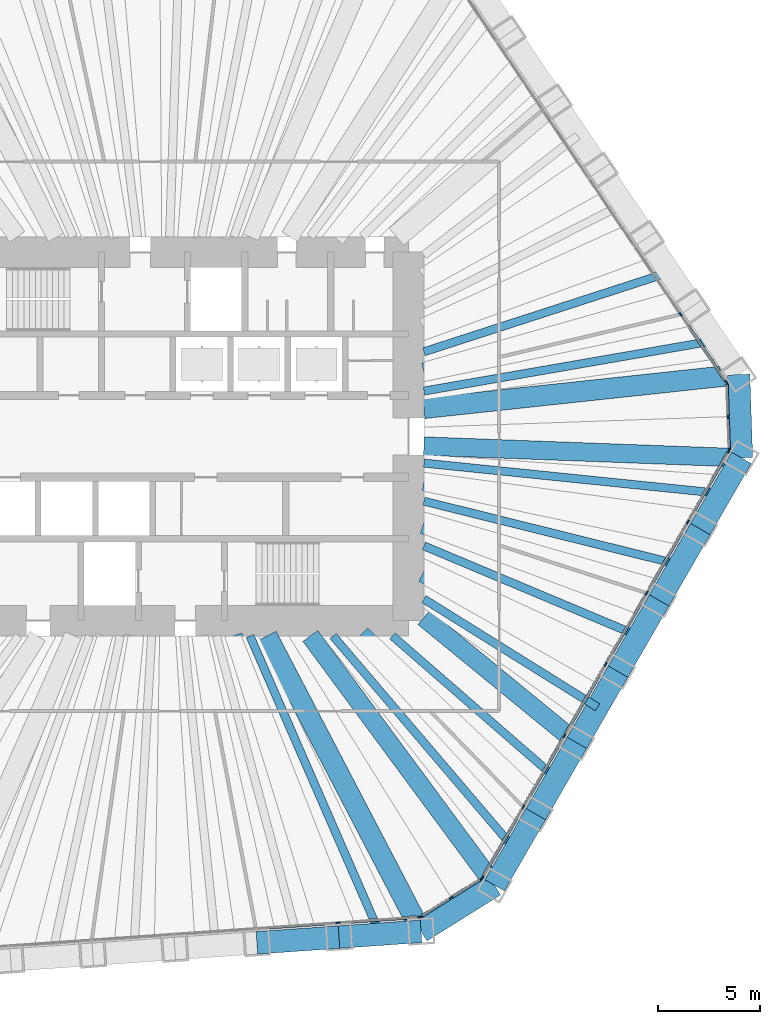
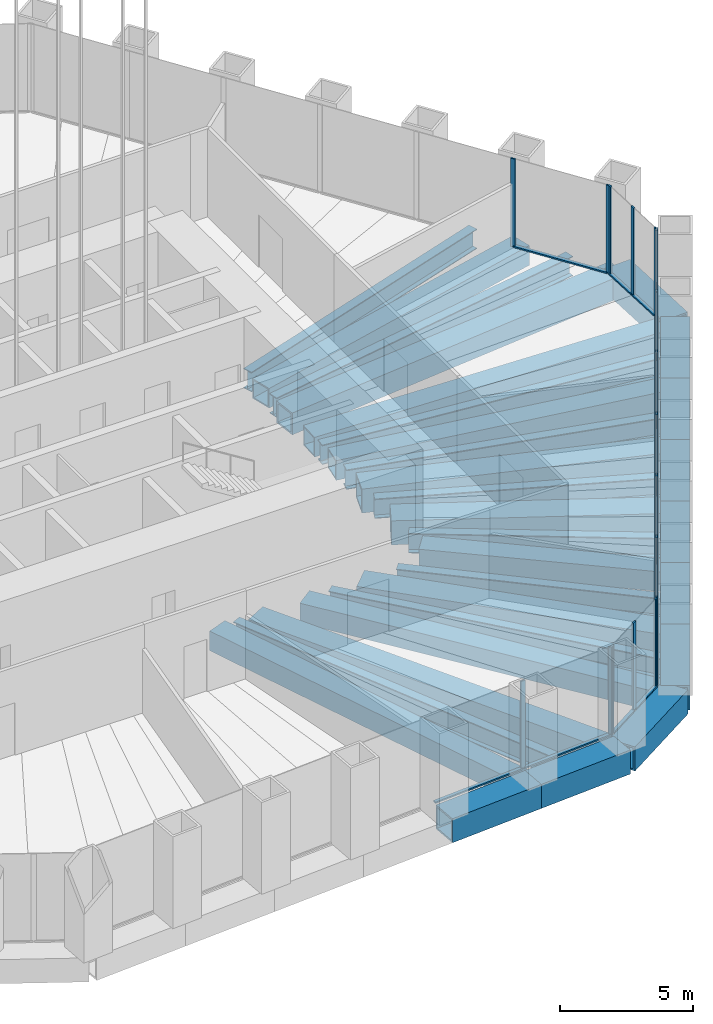
# One storey, part 4 of 20: 40 members, 20 beams, 5 elements without a shape of their own.
"""IFC4 building model written with IfcOpenShell, lengths in metres."""

from ifc_helpers import new_model, si_unit, direction, frame, origin, origin_2d, place, context, subcontext, project, spatial, rectangle, hollow_rectangle, i_section, extrude, material, material_profile, profile_set, type_object, element, aggregate, save


model = new_model("IFC4")

# Units and contexts
model_context = context("Model", 3, precision=1e-05, world=origin(), true_north=direction((0.0, 1.0)))
body_context = subcontext(model_context, "Body", "Model", "MODEL_VIEW")
ifc_project = project(units=[si_unit("LENGTHUNIT", "METRE"), si_unit("AREAUNIT", "SQUARE_METRE"), si_unit("VOLUMEUNIT", "CUBIC_METRE"), si_unit("PLANEANGLEUNIT", "RADIAN"), si_unit("MASSUNIT", "GRAM", prefix="KILO")], contexts=[model_context])

# Site, building, storey
site_placement = place(None, origin())
site = spatial("IfcSite", under=ifc_project, at=site_placement, CompositionType="ELEMENT")
building_placement = place(site_placement, origin())
building = spatial("IfcBuilding", under=site, at=building_placement, Name="Qingtian Harvest Tower", CompositionType="ELEMENT")
storey_placement = place(building_placement, frame((0.0, 0.0, 103.0)))
storey = spatial("IfcBuildingStorey", under=building, at=storey_placement, Name="L20", CompositionType="ELEMENT", Elevation=103.0)

# Members
ifc_material_1 = material(Name="Steel SM570MC", Category="steel")
ifc_material_profile_1 = material_profile(ifc_material_1, hollow_rectangle(XDim=1.10009765625, YDim=1.10009765625, WallThickness=0.080078125, at=origin_2d()), Name="BOX1100x1100x80")
ifc_profile_set_1 = profile_set([ifc_material_profile_1], Name="Steel SM570MC")
member_type_1 = type_object("IfcMemberType", Name="Belt truss chord BC1 BOX1100x1100x80", PredefinedType="CHORD", material=ifc_profile_set_1)
member_1_placement = place(storey_placement, frame((28.119384765625, 3.0185546875, -0.550048828125), z_axis=(0.03490639867, -0.999390585973, 0.0), x_axis=(0.999390585973, 0.03490639867, 0.0)))
element("IfcMember", 1, at=member_1_placement, inside=storey, type_object=member_type_1, Name="Belt chord BC1 NEC", PredefinedType="CHORD", context=body_context, shape_type="SweptSolid", body=[
    extrude(hollow_rectangle(XDim=1.10009765625, YDim=1.10009765625, WallThickness=0.080078125, at=origin_2d()), origin(), (0.0, 0.0, 1.0), 4.070556640625),
])
for number, where, z_axis, x_axis, name in (
    (2, (28.261474609375, -1.049560546875, -0.550048828125), (-0.499987116613, -0.866032841884, 0.0), (0.866032841884, -0.499987116613, 0.0), "Belt chord BC1 SE0"),
    (3, (26.251953125, -4.5302734375, -0.550048828125), (-0.499987116613, -0.866032841884, 0.0), (0.866032841884, -0.499987116613, 0.0), "Belt chord BC1 SE1"),
    (4, (24.242431640625, -8.010986328125, -0.550048828125), (-0.500013420409, -0.866017655369, 0.0), (0.866017655369, -0.500013420409, 0.0), "Belt chord BC1 SE2"),
    (5, (22.23291015625, -11.491455078125, -0.550048828125), (-0.499987116613, -0.866032841884, 0.0), (0.866032841884, -0.499987116613, 0.0), "Belt chord BC1 SE3"),
    (6, (20.223388671875, -14.97216796875, -0.550048828125), (-0.499987116613, -0.866032841884, 0.0), (0.866032841884, -0.499987116613, 0.0), "Belt chord BC1 SE4"),
    (7, (18.2138671875, -18.452880859375, -0.550048828125), (-0.500013420409, -0.866017655369, 0.0), (0.866017655369, -0.500013420409, 0.0), "Belt chord BC1 SE5"),
):
    element("IfcMember", number, at=place(storey_placement, frame(where, z_axis=z_axis, x_axis=x_axis)), inside=storey, type_object=member_type_1, Name=name, PredefinedType="CHORD", context=body_context, shape_type="SweptSolid", body=[
        extrude(hollow_rectangle(XDim=1.10009765625, YDim=1.10009765625, WallThickness=0.080078125, at=origin_2d()), origin(), (0.0, 0.0, 1.0), 4.01904296875),
    ])
member_2_placement = place(storey_placement, frame((16.204345703125, -21.933349609375, -0.550048828125), z_axis=(-0.848056550838, -0.529905733675, 0.0), x_axis=(0.529905733675, -0.848056550838, 0.0)))
element("IfcMember", 8, at=member_2_placement, inside=storey, type_object=member_type_1, Name="Belt chord BC1 SEC", PredefinedType="CHORD", context=body_context, shape_type="SweptSolid", body=[
    extrude(hollow_rectangle(XDim=1.10009765625, YDim=1.10009765625, WallThickness=0.080078125, at=origin_2d()), origin(), (0.0, 0.0, 1.0), 4.23828125),
])
for number, where, z_axis, x_axis, name in (
    (9, (12.610107421875, -24.17919921875, -0.550048828125), (-0.997561251588, -0.069796485086, 0.0), (0.069796485086, -0.997561251588, 0.0), "Belt chord BC1 S0"),
    (10, (8.600830078125, -24.459716796875, -0.550048828125), (-0.997565479251, -0.069736035208, 0.0), (0.069736035208, -0.997565479251, 0.0), "Belt chord BC1 S1"),
):
    element("IfcMember", number, at=place(storey_placement, frame(where, z_axis=z_axis, x_axis=x_axis)), inside=storey, type_object=member_type_1, Name=name, PredefinedType="CHORD", context=body_context, shape_type="SweptSolid", body=[
        extrude(hollow_rectangle(XDim=1.10009765625, YDim=1.10009765625, WallThickness=0.080078125, at=origin_2d()), origin(), (0.0, 0.0, 1.0), 4.01904296875),
    ])

# Beams
ifc_material_2 = material(Name="Steel SN490B", Category="steel")
ifc_material_profile_2 = material_profile(ifc_material_2, i_section(OverallWidth=0.39990234375, OverallDepth=0.89990234375, WebThickness=0.01904296875, FlangeThickness=0.035888671875, at=origin_2d()), Name="H900x400x19x36")
ifc_profile_set_2 = profile_set([ifc_material_profile_2], Name="Steel SN490B")
beam_type_1 = type_object("IfcBeamType", Name="Floor joist J4 H900x400x19x36", PredefinedType="JOIST", material=ifc_profile_set_2)
beam_1_placement = place(storey_placement, frame((24.748291015625, 8.016357421875, -0.6201171875), z_axis=(-0.951335907519, -0.308155790249, 0.0), x_axis=(0.308155790249, -0.951335907519, 0.0)))
element("IfcBeam", 11, at=beam_1_placement, inside=storey, type_object=beam_type_1, Name="Floor joist J4 NE4", PredefinedType="JOIST", context=body_context, shape_type="SweptSolid", body=[
    extrude(i_section(OverallWidth=0.39990234375, OverallDepth=0.89990234375, WebThickness=0.01904296875, FlangeThickness=0.035888671875, at=origin_2d()), origin(), (0.0, 0.0, 1.0), 12.612060546875),
])
beam_2_placement = place(storey_placement, frame((26.99560546875, 4.6845703125, -0.6201171875), z_axis=(-0.985273903188, -0.17098343691, 0.0), x_axis=(0.17098343691, -0.985273903188, 0.0)))
element("IfcBeam", 12, at=beam_2_placement, inside=storey, type_object=beam_type_1, Name="Floor joist J4 NE5", PredefinedType="JOIST", context=body_context, shape_type="SweptSolid", body=[
    extrude(i_section(OverallWidth=0.39990234375, OverallDepth=0.89990234375, WebThickness=0.01904296875, FlangeThickness=0.035888671875, at=origin_2d()), origin(), (0.0, 0.0, 1.0), 14.45849609375),
])
beam_3_placement = place(storey_placement, frame((27.2568359375, -2.7900390625, -0.6201171875), z_axis=(-0.994802418411, 0.101824104826, 0.0), x_axis=(-0.101824104826, -0.994802418411, 0.0)))
element("IfcBeam", 13, at=beam_3_placement, inside=storey, type_object=beam_type_1, Name="Floor joist J4 SE0", PredefinedType="JOIST", context=body_context, shape_type="SweptSolid", body=[
    extrude(i_section(OverallWidth=0.39990234375, OverallDepth=0.89990234375, WebThickness=0.01904296875, FlangeThickness=0.035888671875, at=origin_2d()), origin(), (0.0, 0.0, 1.0), 14.58251953125),
])
beam_4_placement = place(storey_placement, frame((25.247314453125, -6.2705078125, -0.6201171875), z_axis=(-0.970517179244, 0.241031958032, 0.0), x_axis=(-0.241031958032, -0.970517179244, 0.0)))
element("IfcBeam", 14, at=beam_4_placement, inside=storey, type_object=beam_type_1, Name="Floor joist J4 SE1", PredefinedType="JOIST", context=body_context, shape_type="SweptSolid", body=[
    extrude(i_section(OverallWidth=0.39990234375, OverallDepth=0.89990234375, WebThickness=0.01904296875, FlangeThickness=0.035888671875, at=origin_2d()), origin(), (0.0, 0.0, 1.0), 12.876953125),
])
beam_5_placement = place(storey_placement, frame((23.237548828125, -9.751220703125, -0.6201171875), z_axis=(-0.922104219626, 0.386941608189, 0.0), x_axis=(-0.386941608189, -0.922104219626, 0.0)))
element("IfcBeam", 15, at=beam_5_placement, inside=storey, type_object=beam_type_1, Name="Floor joist J4 SE2", PredefinedType="JOIST", context=body_context, shape_type="SweptSolid", body=[
    extrude(i_section(OverallWidth=0.39990234375, OverallDepth=0.89990234375, WebThickness=0.01904296875, FlangeThickness=0.035888671875, at=origin_2d()), origin(), (0.0, 0.0, 1.0), 11.37353515625),
])
beam_6_placement = place(storey_placement, frame((21.22802734375, -13.23193359375, -0.6201171875), z_axis=(-0.848631984892, 0.528983699389, 0.0), x_axis=(-0.528983699389, -0.848631984892, 0.0)))
element("IfcBeam", 16, at=beam_6_placement, inside=storey, type_object=beam_type_1, Name="Floor joist J4 SE3", PredefinedType="JOIST", context=body_context, shape_type="SweptSolid", body=[
    extrude(i_section(OverallWidth=0.39990234375, OverallDepth=0.89990234375, WebThickness=0.01904296875, FlangeThickness=0.035888671875, at=origin_2d()), origin(), (0.0, 0.0, 1.0), 9.990234375),
])
beam_7_placement = place(storey_placement, frame((19.218505859375, -16.71240234375, -0.6201171875), z_axis=(-0.754588679317, 0.656198083697, 0.0), x_axis=(-0.656198083697, -0.754588679317, 0.0)))
element("IfcBeam", 17, at=beam_7_placement, inside=storey, type_object=beam_type_1, Name="Floor joist J4 SE4", PredefinedType="JOIST", context=body_context, shape_type="SweptSolid", body=[
    extrude(i_section(OverallWidth=0.39990234375, OverallDepth=0.89990234375, WebThickness=0.01904296875, FlangeThickness=0.035888671875, at=origin_2d()), origin(), (0.0, 0.0, 1.0), 10.610107421875),
])
beam_8_placement = place(storey_placement, frame((17.208984375, -20.193115234375, -0.6201171875), z_axis=(-0.648631797865, 0.76110235238, 0.0), x_axis=(-0.76110235238, -0.648631797865, 0.0)))
element("IfcBeam", 18, at=beam_8_placement, inside=storey, type_object=beam_type_1, Name="Floor joist J4 SE5", PredefinedType="JOIST", context=body_context, shape_type="SweptSolid", body=[
    extrude(i_section(OverallWidth=0.39990234375, OverallDepth=0.89990234375, WebThickness=0.01904296875, FlangeThickness=0.035888671875, at=origin_2d()), origin(), (0.0, 0.0, 1.0), 13.720947265625),
])
beam_9_placement = place(storey_placement, frame((10.60546875, -24.3193359375, -0.6201171875), z_axis=(-0.399732363577, 0.916631898588, 0.0), x_axis=(-0.916631898588, -0.399732363577, 0.0)))
element("IfcBeam", 19, at=beam_9_placement, inside=storey, type_object=beam_type_1, Name="Floor joist J4 S0", PredefinedType="JOIST", context=body_context, shape_type="SweptSolid", body=[
    extrude(i_section(OverallWidth=0.39990234375, OverallDepth=0.89990234375, WebThickness=0.01904296875, FlangeThickness=0.035888671875, at=origin_2d()), origin(), (0.0, 0.0, 1.0), 15.89453125),
])

# Curtain wall, members
ifc_material_3 = material(Name="Bronze-anodised aluminium curtain wall", Category="aluminium")
curtain_wall_type = type_object("IfcCurtainWallType", Name="Curtain wall CW3 sky lobby", PredefinedType="USERDEFINED", material=ifc_material_3)
curtain_wall_1_placement = place(storey_placement, origin())
curtain_wall_1 = element("IfcCurtainWall", 20, at=curtain_wall_1_placement, inside=storey, type_object=curtain_wall_type, Name="Curtain wall CW3 L20 NE0-5", ObjectType="RECESSED CURTAIN WALL", PredefinedType="USERDEFINED")
ifc_material_4 = material(Name="Bronze-anodised aluminium mullion", Category="aluminium")
ifc_material_profile_3 = material_profile(ifc_material_4, rectangle(XDim=0.06494140625, YDim=0.199951171875, at=origin_2d()), Name="AL 65x200")
ifc_profile_set_3 = profile_set([ifc_material_profile_3], Name="Bronze-anodised aluminium mullion")
member_type_2 = type_object("IfcMemberType", Name="Mullion CWM 65x200", PredefinedType="MULLION", material=ifc_profile_set_3)
member_3_placement = place(storey_placement, frame((25.291748046875, 5.958984375, 0.0), z_axis=(0.0, 0.0, 1.0), x_axis=(0.829037572555, 0.559192903471, 0.0)))
member_3 = element("IfcMember", 21, at=member_3_placement, type_object=member_type_2, Name="CW3 mullion 6", PredefinedType="MULLION", context=body_context, shape_type="SweptSolid", body=[
    extrude(rectangle(XDim=0.06494140625, YDim=0.199951171875, at=origin_2d()), origin(), (0.0, 0.0, 1.0), 4.030029296875),
])
member_4_placement = place(storey_placement, frame((27.52099609375, 2.654052734375, 0.0), z_axis=(0.0, 0.0, 1.0), x_axis=(0.829037572555, 0.559192903471, 0.0)))
member_4 = element("IfcMember", 22, at=member_4_placement, type_object=member_type_2, Name="CW3 mullion 7", PredefinedType="MULLION", context=body_context, shape_type="SweptSolid", body=[
    extrude(rectangle(XDim=0.06494140625, YDim=0.199951171875, at=origin_2d()), origin(), (0.0, 0.0, 1.0), 4.030029296875),
])

curtain_wall_2_placement = place(storey_placement, origin())
curtain_wall_2 = element("IfcCurtainWall", 23, at=curtain_wall_2_placement, inside=storey, type_object=curtain_wall_type, Name="Curtain wall CW3 L20 NEC", ObjectType="RECESSED CURTAIN WALL", PredefinedType="USERDEFINED")
member_5_placement = place(storey_placement, frame((27.540283203125, 2.594482421875, 0.0), z_axis=(0.0, 0.0, 1.0), x_axis=(0.999390827019, 0.034899496703, 0.0)))
member_5 = element("IfcMember", 24, at=member_5_placement, type_object=member_type_2, Name="CW3 mullion 1", PredefinedType="MULLION", context=body_context, shape_type="SweptSolid", body=[
    extrude(rectangle(XDim=0.06494140625, YDim=0.199951171875, at=origin_2d()), origin(), (0.0, 0.0, 1.0), 4.030029296875),
])
member_6_placement = place(storey_placement, frame((27.59716796875, 0.963623046875, 0.0), z_axis=(0.0, 0.0, 1.0), x_axis=(0.999390827019, 0.034899496703, 0.0)))
member_6 = element("IfcMember", 25, at=member_6_placement, type_object=member_type_2, Name="CW3 mullion 2", PredefinedType="MULLION", context=body_context, shape_type="SweptSolid", body=[
    extrude(rectangle(XDim=0.06494140625, YDim=0.199951171875, at=origin_2d()), origin(), (0.0, 0.0, 1.0), 4.030029296875),
])
member_7_placement = place(storey_placement, frame((27.654052734375, -0.667236328125, 0.0), z_axis=(0.0, 0.0, 1.0), x_axis=(0.999390827019, 0.034899496703, 0.0)))
member_7 = element("IfcMember", 26, at=member_7_placement, type_object=member_type_2, Name="CW3 mullion 3", PredefinedType="MULLION", context=body_context, shape_type="SweptSolid", body=[
    extrude(rectangle(XDim=0.06494140625, YDim=0.199951171875, at=origin_2d()), origin(), (0.0, 0.0, 1.0), 4.030029296875),
])

curtain_wall_3_placement = place(storey_placement, origin())
curtain_wall_3 = element("IfcCurtainWall", 27, at=curtain_wall_3_placement, inside=storey, type_object=curtain_wall_type, Name="Curtain wall CW3 L20 SE0-5", ObjectType="RECESSED CURTAIN WALL", PredefinedType="USERDEFINED")
member_8_placement = place(storey_placement, frame((27.638916015625, -0.727783203125, 0.0), z_axis=(0.0, 0.0, 1.0), x_axis=(0.866025403784, -0.5, 0.0)))
member_8 = element("IfcMember", 28, at=member_8_placement, type_object=member_type_2, Name="CW3 mullion 1", PredefinedType="MULLION", context=body_context, shape_type="SweptSolid", body=[
    extrude(rectangle(XDim=0.06494140625, YDim=0.199951171875, at=origin_2d()), origin(), (0.0, 0.0, 1.0), 4.030029296875),
])
member_9_placement = place(storey_placement, frame((25.645751953125, -4.18017578125, 0.0), z_axis=(0.0, 0.0, 1.0), x_axis=(0.866025403784, -0.5, 0.0)))
member_9 = element("IfcMember", 29, at=member_9_placement, type_object=member_type_2, Name="CW3 mullion 2", PredefinedType="MULLION", context=body_context, shape_type="SweptSolid", body=[
    extrude(rectangle(XDim=0.06494140625, YDim=0.199951171875, at=origin_2d()), origin(), (0.0, 0.0, 1.0), 4.030029296875),
])
member_10_placement = place(storey_placement, frame((23.63623046875, -7.660888671875, 0.0), z_axis=(0.0, 0.0, 1.0), x_axis=(0.866025403784, -0.5, 0.0)))
member_10 = element("IfcMember", 30, at=member_10_placement, type_object=member_type_2, Name="CW3 mullion 3", PredefinedType="MULLION", context=body_context, shape_type="SweptSolid", body=[
    extrude(rectangle(XDim=0.06494140625, YDim=0.199951171875, at=origin_2d()), origin(), (0.0, 0.0, 1.0), 4.030029296875),
])
member_11_placement = place(storey_placement, frame((21.626708984375, -11.1416015625, 0.0), z_axis=(0.0, 0.0, 1.0), x_axis=(0.866025403784, -0.5, 0.0)))
member_11 = element("IfcMember", 31, at=member_11_placement, type_object=member_type_2, Name="CW3 mullion 4", PredefinedType="MULLION", context=body_context, shape_type="SweptSolid", body=[
    extrude(rectangle(XDim=0.06494140625, YDim=0.199951171875, at=origin_2d()), origin(), (0.0, 0.0, 1.0), 4.030029296875),
])
member_12_placement = place(storey_placement, frame((19.6171875, -14.6220703125, 0.0), z_axis=(0.0, 0.0, 1.0), x_axis=(0.866025403784, -0.5, 0.0)))
member_12 = element("IfcMember", 32, at=member_12_placement, type_object=member_type_2, Name="CW3 mullion 5", PredefinedType="MULLION", context=body_context, shape_type="SweptSolid", body=[
    extrude(rectangle(XDim=0.06494140625, YDim=0.199951171875, at=origin_2d()), origin(), (0.0, 0.0, 1.0), 4.030029296875),
])
member_13_placement = place(storey_placement, frame((17.607666015625, -18.102783203125, 0.0), z_axis=(0.0, 0.0, 1.0), x_axis=(0.866025403784, -0.5, 0.0)))
member_13 = element("IfcMember", 33, at=member_13_placement, type_object=member_type_2, Name="CW3 mullion 6", PredefinedType="MULLION", context=body_context, shape_type="SweptSolid", body=[
    extrude(rectangle(XDim=0.06494140625, YDim=0.199951171875, at=origin_2d()), origin(), (0.0, 0.0, 1.0), 4.030029296875),
])
member_14_placement = place(storey_placement, frame((15.6142578125, -21.55517578125, 0.0), z_axis=(0.0, 0.0, 1.0), x_axis=(0.866025403784, -0.5, 0.0)))
member_14 = element("IfcMember", 34, at=member_14_placement, type_object=member_type_2, Name="CW3 mullion 7", PredefinedType="MULLION", context=body_context, shape_type="SweptSolid", body=[
    extrude(rectangle(XDim=0.06494140625, YDim=0.199951171875, at=origin_2d()), origin(), (0.0, 0.0, 1.0), 4.030029296875),
])

curtain_wall_4_placement = place(storey_placement, origin())
curtain_wall_4 = element("IfcCurtainWall", 35, at=curtain_wall_4_placement, inside=storey, type_object=curtain_wall_type, Name="Curtain wall CW3 L20 SEC", ObjectType="RECESSED CURTAIN WALL", PredefinedType="USERDEFINED")
member_15_placement = place(storey_placement, frame((15.570556640625, -21.6005859375, 0.0), z_axis=(0.0, 0.0, 1.0), x_axis=(0.529919264233, -0.848048096156, 0.0)))
member_15 = element("IfcMember", 36, at=member_15_placement, type_object=member_type_2, Name="CW3 mullion 1", PredefinedType="MULLION", context=body_context, shape_type="SweptSolid", body=[
    extrude(rectangle(XDim=0.06494140625, YDim=0.199951171875, at=origin_2d()), origin(), (0.0, 0.0, 1.0), 4.030029296875),
])
member_16_placement = place(storey_placement, frame((14.07958984375, -22.5322265625, 0.0), z_axis=(0.0, 0.0, 1.0), x_axis=(0.529919264233, -0.848048096156, 0.0)))
member_16 = element("IfcMember", 37, at=member_16_placement, type_object=member_type_2, Name="CW3 mullion 2", PredefinedType="MULLION", context=body_context, shape_type="SweptSolid", body=[
    extrude(rectangle(XDim=0.06494140625, YDim=0.199951171875, at=origin_2d()), origin(), (0.0, 0.0, 1.0), 4.030029296875),
])
member_17_placement = place(storey_placement, frame((12.5888671875, -23.4638671875, 0.0), z_axis=(0.0, 0.0, 1.0), x_axis=(0.529919264233, -0.848048096156, 0.0)))
member_17 = element("IfcMember", 38, at=member_17_placement, type_object=member_type_2, Name="CW3 mullion 3", PredefinedType="MULLION", context=body_context, shape_type="SweptSolid", body=[
    extrude(rectangle(XDim=0.06494140625, YDim=0.199951171875, at=origin_2d()), origin(), (0.0, 0.0, 1.0), 4.030029296875),
])

curtain_wall_5_placement = place(storey_placement, origin())
curtain_wall_5 = element("IfcCurtainWall", 39, at=curtain_wall_5_placement, inside=storey, type_object=curtain_wall_type, Name="Curtain wall CW3 L20 S0-5", ObjectType="RECESSED CURTAIN WALL", PredefinedType="USERDEFINED")
member_18_placement = place(storey_placement, frame((12.52880859375, -23.483154296875, 0.0), z_axis=(0.0, 0.0, 1.0), x_axis=(0.069756473744, -0.99756405026, 0.0)))
member_18 = element("IfcMember", 40, at=member_18_placement, type_object=member_type_2, Name="CW3 mullion 1", PredefinedType="MULLION", context=body_context, shape_type="SweptSolid", body=[
    extrude(rectangle(XDim=0.06494140625, YDim=0.199951171875, at=origin_2d()), origin(), (0.0, 0.0, 1.0), 4.030029296875),
])
member_19_placement = place(storey_placement, frame((8.552001953125, -23.76123046875, 0.0), z_axis=(0.0, 0.0, 1.0), x_axis=(0.069756473744, -0.99756405026, 0.0)))
member_19 = element("IfcMember", 41, at=member_19_placement, type_object=member_type_2, Name="CW3 mullion 2", PredefinedType="MULLION", context=body_context, shape_type="SweptSolid", body=[
    extrude(rectangle(XDim=0.06494140625, YDim=0.199951171875, at=origin_2d()), origin(), (0.0, 0.0, 1.0), 4.030029296875),
])

# Beams
ifc_material_5 = material(Name="Steel SM570MC", Category="steel")
ifc_material_profile_4 = material_profile(ifc_material_5, hollow_rectangle(XDim=0.89990234375, YDim=0.89990234375, WallThickness=0.06005859375, at=origin_2d()), Name="BOX900x900x60")
ifc_profile_set_4 = profile_set([ifc_material_profile_4], Name="Steel SM570MC")
beam_type_2 = type_object("IfcBeamType", Name="Outrigger chord beam OC1 BOX900x900x60", PredefinedType="BEAM", material=ifc_profile_set_4)
beam_10_placement = place(storey_placement, frame((25.8720703125, 6.3505859375, -0.6201171875), z_axis=(-0.971170997483, -0.2383839207, 0.0), x_axis=(0.2383839207, -0.971170997483, 0.0)))
element("IfcBeam", 42, at=beam_10_placement, inside=storey, type_object=beam_type_2, Name="Floor beam OC1 NE5", PredefinedType="BEAM", context=body_context, shape_type="SweptSolid", body=[
    extrude(hollow_rectangle(XDim=0.89990234375, YDim=0.89990234375, WallThickness=0.06005859375, at=origin_2d()), origin(), (0.0, 0.0, 1.0), 13.511474609375),
])
beam_11_placement = place(storey_placement, frame((28.261474609375, -1.049560546875, -0.6201171875), z_axis=(-0.999311425285, 0.03710357523, 0.0), x_axis=(-0.03710357523, -0.999311425285, 0.0)))
element("IfcBeam", 43, at=beam_11_placement, inside=storey, type_object=beam_type_2, Name="Floor beam OC1 SE0", PredefinedType="BEAM", context=body_context, shape_type="SweptSolid", body=[
    extrude(hollow_rectangle(XDim=0.89990234375, YDim=0.89990234375, WallThickness=0.06005859375, at=origin_2d()), origin(), (0.0, 0.0, 1.0), 15.522216796875),
])
beam_12_placement = place(storey_placement, frame((26.251953125, -4.5302734375, -0.6201171875), z_axis=(-0.985433767107, 0.170059667895, 0.0), x_axis=(-0.170059667895, -0.985433767107, 0.0)))
element("IfcBeam", 44, at=beam_12_placement, inside=storey, type_object=beam_type_2, Name="Floor beam OC1 SE1", PredefinedType="BEAM", context=body_context, shape_type="SweptSolid", body=[
    extrude(hollow_rectangle(XDim=0.89990234375, YDim=0.89990234375, WallThickness=0.06005859375, at=origin_2d()), origin(), (0.0, 0.0, 1.0), 13.701416015625),
])
beam_13_placement = place(storey_placement, frame((20.223388671875, -14.97216796875, -0.6201171875), z_axis=(-0.773577716445, 0.633701441233, 0.0), x_axis=(-0.633701441233, -0.773577716445, 0.0)))
element("IfcBeam", 45, at=beam_13_placement, inside=storey, type_object=beam_type_2, Name="Floor beam OC1 SE4", PredefinedType="BEAM", context=body_context, shape_type="SweptSolid", body=[
    extrude(hollow_rectangle(XDim=0.89990234375, YDim=0.89990234375, WallThickness=0.06005859375, at=origin_2d()), origin(), (0.0, 0.0, 1.0), 9.660888671875),
])
beam_14_placement = place(storey_placement, frame((16.204345703125, -21.933349609375, -0.6201171875), z_axis=(-0.594215666968, 0.804305751023, 0.0), x_axis=(-0.804305751023, -0.594215666968, 0.0)))
element("IfcBeam", 46, at=beam_14_placement, inside=storey, type_object=beam_type_2, Name="Floor beam OC1 SE6", PredefinedType="BEAM", context=body_context, shape_type="SweptSolid", body=[
    extrude(hollow_rectangle(XDim=0.89990234375, YDim=0.89990234375, WallThickness=0.06005859375, at=origin_2d()), origin(), (0.0, 0.0, 1.0), 15.147705078125),
])
beam_15_placement = place(storey_placement, frame((8.600830078125, -24.459716796875, -0.6201171875), z_axis=(-0.331719146802, 0.943378189087, 0.0), x_axis=(-0.943378189087, -0.331719146802, 0.0)))
element("IfcBeam", 47, at=beam_15_placement, inside=storey, type_object=beam_type_2, Name="Floor beam OC1 S1", PredefinedType="BEAM", context=body_context, shape_type="SweptSolid", body=[
    extrude(hollow_rectangle(XDim=0.89990234375, YDim=0.89990234375, WallThickness=0.06005859375, at=origin_2d()), origin(), (0.0, 0.0, 1.0), 15.592529296875),
])
ifc_material_6 = material(Name="Steel SM570MC", Category="steel")
ifc_material_profile_5 = material_profile(ifc_material_6, hollow_rectangle(XDim=1.0, YDim=1.0, WallThickness=0.080078125, at=origin_2d()), Name="BOX1000x1000x80")
ifc_profile_set_5 = profile_set([ifc_material_profile_5], Name="Steel SM570MC")
beam_type_3 = type_object("IfcBeamType", Name="Transfer corner beam FB11 BOX1000x1000x80", PredefinedType="BEAM", material=ifc_profile_set_5)
beam_16_placement = place(storey_placement, frame((28.119384765625, 3.0185546875, -0.669921875), z_axis=(-0.994287324052, -0.106736672374, 0.0), x_axis=(0.106736672374, -0.994287324052, 0.0)))
element("IfcBeam", 48, at=beam_16_placement, inside=storey, type_object=beam_type_3, Name="Floor beam FB11 NE6", PredefinedType="BEAM", context=body_context, shape_type="SweptSolid", body=[
    extrude(hollow_rectangle(XDim=1.0, YDim=1.0, WallThickness=0.080078125, at=origin_2d()), origin(), (0.0, 0.0, 1.0), 15.457763671875),
])
beam_17_placement = place(storey_placement, frame((12.610107421875, -24.17919921875, -0.669921875), z_axis=(-0.462414751295, 0.886663745613, 0.0), x_axis=(-0.886663745613, -0.462414751295, 0.0)))
element("IfcBeam", 49, at=beam_17_placement, inside=storey, type_object=beam_type_3, Name="Floor beam FB11 S0", PredefinedType="BEAM", context=body_context, shape_type="SweptSolid", body=[
    extrude(hollow_rectangle(XDim=1.0, YDim=1.0, WallThickness=0.080078125, at=origin_2d()), origin(), (0.0, 0.0, 1.0), 16.273681640625),
])
ifc_material_7 = material(Name="Steel SM570MC", Category="steel")
ifc_material_profile_6 = material_profile(ifc_material_7, hollow_rectangle(XDim=1.10009765625, YDim=1.10009765625, WallThickness=0.10009765625, at=origin_2d()), Name="BOX1100x1100x100")
ifc_profile_set_6 = profile_set([ifc_material_profile_6], Name="Steel SM570MC")
beam_type_4 = type_object("IfcBeamType", Name="Transfer floor beam FB9 BOX1100x1100x100", PredefinedType="BEAM", material=ifc_profile_set_6)
beam_18_placement = place(storey_placement, frame((24.242431640625, -8.010986328125, -0.719970703125), z_axis=(-0.949497047328, 0.31377596644, 0.0), x_axis=(-0.31377596644, -0.949497047328, 0.0)))
element("IfcBeam", 50, at=beam_18_placement, inside=storey, type_object=beam_type_4, Name="Floor beam FB9 SE2", PredefinedType="BEAM", context=body_context, shape_type="SweptSolid", body=[
    extrude(hollow_rectangle(XDim=1.10009765625, YDim=1.10009765625, WallThickness=0.10009765625, at=origin_2d()), origin(), (0.0, 0.0, 1.0), 12.103759765625),
])
beam_19_placement = place(storey_placement, frame((22.23291015625, -11.491455078125, -0.719970703125), z_axis=(-0.888354700773, 0.459157843899, 0.0), x_axis=(-0.459157843899, -0.888354700773, 0.0)))
element("IfcBeam", 51, at=beam_19_placement, inside=storey, type_object=beam_type_4, Name="Floor beam FB9 SE3", PredefinedType="BEAM", context=body_context, shape_type="SweptSolid", body=[
    extrude(hollow_rectangle(XDim=1.10009765625, YDim=1.10009765625, WallThickness=0.10009765625, at=origin_2d()), origin(), (0.0, 0.0, 1.0), 10.6748046875),
])
beam_20_placement = place(storey_placement, frame((18.2138671875, -18.452880859375, -0.719970703125), z_axis=(-0.702479751847, 0.711703729262, 0.0), x_axis=(-0.711703729262, -0.702479751847, 0.0)))
element("IfcBeam", 52, at=beam_20_placement, inside=storey, type_object=beam_type_4, Name="Floor beam FB9 SE5", PredefinedType="BEAM", context=body_context, shape_type="SweptSolid", body=[
    extrude(hollow_rectangle(XDim=1.10009765625, YDim=1.10009765625, WallThickness=0.10009765625, at=origin_2d()), origin(), (0.0, 0.0, 1.0), 12.228271484375),
])

# Member
ifc_material_8 = material(Name="Bronze-anodised aluminium transom", Category="aluminium")
ifc_material_profile_7 = material_profile(ifc_material_8, rectangle(XDim=0.14990234375, YDim=0.06494140625, at=origin_2d()), Name="AL 65x150")
ifc_profile_set_7 = profile_set([ifc_material_profile_7], Name="Bronze-anodised aluminium transom")
member_type_3 = type_object("IfcMemberType", Name="Transom CWT 65x150", PredefinedType="USERDEFINED", material=ifc_profile_set_7)
member_20_placement = place(storey_placement, frame((25.309814453125, 5.93212890625, 0.032470703125), z_axis=(0.559174507936, -0.829049980203, 0.0), x_axis=(0.829049980203, 0.559174507936, 0.0)))
member_20 = element("IfcMember", 53, at=member_20_placement, type_object=member_type_3, Name="CW3 transom 6.1", ObjectType="TRANSOM", PredefinedType="USERDEFINED", context=body_context, shape_type="SweptSolid", body=[
    extrude(rectangle(XDim=0.14990234375, YDim=0.06494140625, at=origin_2d()), origin(), (0.0, 0.0, 1.0), 3.921630859375),
])

aggregate(curtain_wall_1, [member_3, member_4, member_20])

member_21_placement = place(storey_placement, frame((27.541259765625, 2.56201171875, 0.032470703125), z_axis=(0.034902326647, -0.999390728191, 0.0), x_axis=(0.999390728191, 0.034902326647, 0.0)))
member_21 = element("IfcMember", 54, at=member_21_placement, type_object=member_type_3, Name="CW3 transom 1.1", ObjectType="TRANSOM", PredefinedType="USERDEFINED", context=body_context, shape_type="SweptSolid", body=[
    extrude(rectangle(XDim=0.14990234375, YDim=0.06494140625, at=origin_2d()), origin(), (0.0, 0.0, 1.0), 1.56689453125),
])

member_22_placement = place(storey_placement, frame((27.598388671875, 0.93115234375, 0.032470703125), z_axis=(0.034902326647, -0.999390728191, 0.0), x_axis=(0.999390728191, 0.034902326647, 0.0)))
member_22 = element("IfcMember", 55, at=member_22_placement, type_object=member_type_3, Name="CW3 transom 2.1", ObjectType="TRANSOM", PredefinedType="USERDEFINED", context=body_context, shape_type="SweptSolid", body=[
    extrude(rectangle(XDim=0.14990234375, YDim=0.06494140625, at=origin_2d()), origin(), (0.0, 0.0, 1.0), 1.56689453125),
])

aggregate(curtain_wall_2, [member_5, member_6, member_7, member_21, member_22])

member_23_placement = place(storey_placement, frame((27.622802734375, -0.755859375, 0.032470703125), z_axis=(-0.499975738995, -0.866039410429, 0.0), x_axis=(0.866039410429, -0.499975738995, 0.0)))
member_23 = element("IfcMember", 56, at=member_23_placement, type_object=member_type_3, Name="CW3 transom 1.1", ObjectType="TRANSOM", PredefinedType="USERDEFINED", context=body_context, shape_type="SweptSolid", body=[
    extrude(rectangle(XDim=0.14990234375, YDim=0.06494140625, at=origin_2d()), origin(), (0.0, 0.0, 1.0), 3.921630859375),
])

member_24_placement = place(storey_placement, frame((25.62939453125, -4.20849609375, 0.032470703125), z_axis=(-0.500003941941, -0.866023127892, 0.0), x_axis=(0.866023127892, -0.500003941941, 0.0)))
member_24 = element("IfcMember", 57, at=member_24_placement, type_object=member_type_3, Name="CW3 transom 2.1", ObjectType="TRANSOM", PredefinedType="USERDEFINED", context=body_context, shape_type="SweptSolid", body=[
    extrude(rectangle(XDim=0.14990234375, YDim=0.06494140625, at=origin_2d()), origin(), (0.0, 0.0, 1.0), 3.9541015625),
])

member_25_placement = place(storey_placement, frame((23.619873046875, -7.68896484375, 0.032470703125), z_axis=(-0.500003941941, -0.866023127892, 0.0), x_axis=(0.866023127892, -0.500003941941, 0.0)))
member_25 = element("IfcMember", 58, at=member_25_placement, type_object=member_type_3, Name="CW3 transom 3.1", ObjectType="TRANSOM", PredefinedType="USERDEFINED", context=body_context, shape_type="SweptSolid", body=[
    extrude(rectangle(XDim=0.14990234375, YDim=0.06494140625, at=origin_2d()), origin(), (0.0, 0.0, 1.0), 3.9541015625),
])

member_26_placement = place(storey_placement, frame((21.6103515625, -11.169677734375, 0.032470703125), z_axis=(-0.500003941941, -0.866023127892, 0.0), x_axis=(0.866023127892, -0.500003941941, 0.0)))
member_26 = element("IfcMember", 59, at=member_26_placement, type_object=member_type_3, Name="CW3 transom 4.1", ObjectType="TRANSOM", PredefinedType="USERDEFINED", context=body_context, shape_type="SweptSolid", body=[
    extrude(rectangle(XDim=0.14990234375, YDim=0.06494140625, at=origin_2d()), origin(), (0.0, 0.0, 1.0), 3.9541015625),
])

member_27_placement = place(storey_placement, frame((19.600830078125, -14.650390625, 0.032470703125), z_axis=(-0.500003941941, -0.866023127892, 0.0), x_axis=(0.866023127892, -0.500003941941, 0.0)))
member_27 = element("IfcMember", 60, at=member_27_placement, type_object=member_type_3, Name="CW3 transom 5.1", ObjectType="TRANSOM", PredefinedType="USERDEFINED", context=body_context, shape_type="SweptSolid", body=[
    extrude(rectangle(XDim=0.14990234375, YDim=0.06494140625, at=origin_2d()), origin(), (0.0, 0.0, 1.0), 3.9541015625),
])

member_28_placement = place(storey_placement, frame((17.59130859375, -18.130859375, 0.032470703125), z_axis=(-0.499975738995, -0.866039410429, 0.0), x_axis=(0.866039410429, -0.499975738995, 0.0)))
member_28 = element("IfcMember", 61, at=member_28_placement, type_object=member_type_3, Name="CW3 transom 6.1", ObjectType="TRANSOM", PredefinedType="USERDEFINED", context=body_context, shape_type="SweptSolid", body=[
    extrude(rectangle(XDim=0.14990234375, YDim=0.06494140625, at=origin_2d()), origin(), (0.0, 0.0, 1.0), 3.921630859375),
])

aggregate(curtain_wall_3, [member_8, member_9, member_10, member_11, member_12, member_13, member_14, member_23, member_24, member_25, member_26, member_27, member_28])

member_29_placement = place(storey_placement, frame((15.54296875, -21.617919921875, 0.032470703125), z_axis=(-0.848103609743, -0.529830413568, 0.0), x_axis=(0.529830413568, -0.848103609743, 0.0)))
member_29 = element("IfcMember", 62, at=member_29_placement, type_object=member_type_3, Name="CW3 transom 1.1", ObjectType="TRANSOM", PredefinedType="USERDEFINED", context=body_context, shape_type="SweptSolid", body=[
    extrude(rectangle(XDim=0.14990234375, YDim=0.06494140625, at=origin_2d()), origin(), (0.0, 0.0, 1.0), 1.69287109375),
])

member_30_placement = place(storey_placement, frame((14.052001953125, -22.54931640625, 0.032470703125), z_axis=(-0.847998304005, -0.529998940003, 0.0), x_axis=(0.529998940003, -0.847998304005, 0.0)))
member_30 = element("IfcMember", 63, at=member_30_placement, type_object=member_type_3, Name="CW3 transom 2.1", ObjectType="TRANSOM", PredefinedType="USERDEFINED", context=body_context, shape_type="SweptSolid", body=[
    extrude(rectangle(XDim=0.14990234375, YDim=0.06494140625, at=origin_2d()), origin(), (0.0, 0.0, 1.0), 1.69287109375),
])

aggregate(curtain_wall_4, [member_15, member_16, member_17, member_29, member_30])

member_31_placement = place(storey_placement, frame((12.496337890625, -23.485595703125, 0.032470703125), z_axis=(-0.99756594446, -0.069729380128, 0.0), x_axis=(0.069729380128, -0.99756594446, 0.0)))
member_31 = element("IfcMember", 64, at=member_31_placement, type_object=member_type_3, Name="CW3 transom 1.1", ObjectType="TRANSOM", PredefinedType="USERDEFINED", context=body_context, shape_type="SweptSolid", body=[
    extrude(rectangle(XDim=0.14990234375, YDim=0.06494140625, at=origin_2d()), origin(), (0.0, 0.0, 1.0), 3.92138671875),
])

member_32_placement = place(storey_placement, frame((8.51953125, -23.763671875, 0.032470703125), z_axis=(-0.997567218353, -0.069711153102, 0.0), x_axis=(0.069711153102, -0.997567218353, 0.0)))
member_32 = element("IfcMember", 65, at=member_32_placement, type_object=member_type_3, Name="CW3 transom 2.1", ObjectType="TRANSOM", PredefinedType="USERDEFINED", context=body_context, shape_type="SweptSolid", body=[
    extrude(rectangle(XDim=0.14990234375, YDim=0.06494140625, at=origin_2d()), origin(), (0.0, 0.0, 1.0), 3.953857421875),
])

aggregate(curtain_wall_5, [member_18, member_19, member_31, member_32])

save(model, "model.ifc")
